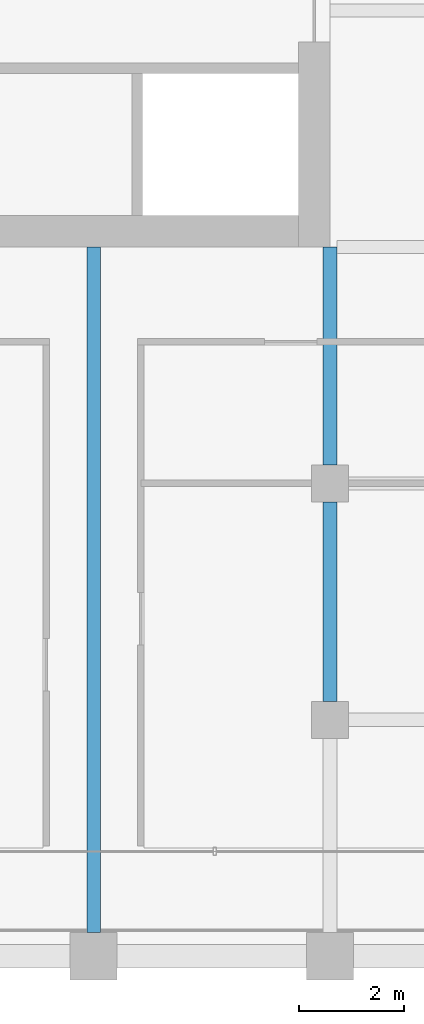
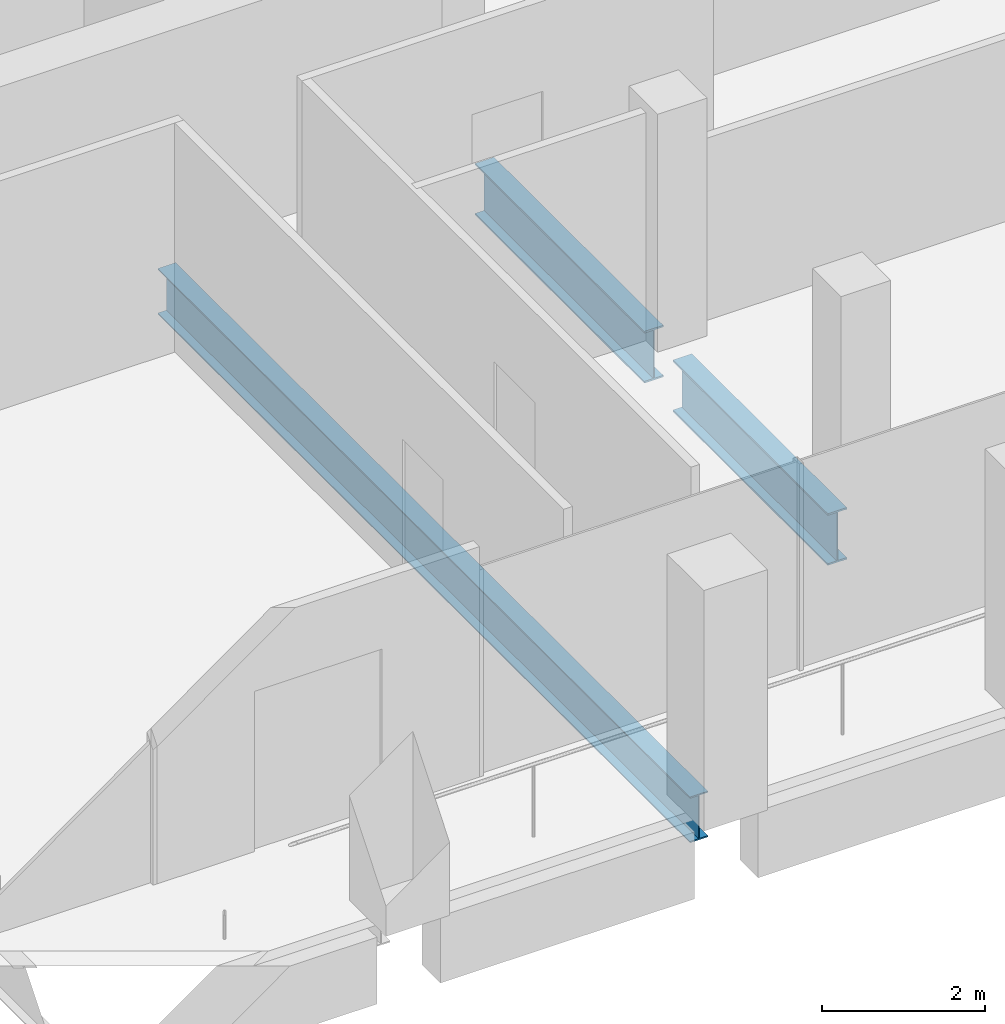
# One storey, part 10 of 40: 3 beams.
"""IFC4 building model written with IfcOpenShell, lengths in metres."""

from ifc_helpers import new_model, si_unit, direction, frame, origin, origin_2d, place, context, subcontext, project, spatial, i_section, extrude, material, material_profile, profile_set, type_object, element, save


model = new_model("IFC4")

# Units and contexts
model_context = context("Model", 3, precision=1e-05, world=origin(), true_north=direction((0.0, 1.0)))
body_context = subcontext(model_context, "Body", "Model", "MODEL_VIEW")
ifc_project = project(units=[si_unit("LENGTHUNIT", "METRE"), si_unit("AREAUNIT", "SQUARE_METRE"), si_unit("VOLUMEUNIT", "CUBIC_METRE"), si_unit("PLANEANGLEUNIT", "RADIAN"), si_unit("MASSUNIT", "GRAM", prefix="KILO")], contexts=[model_context])

# Site, building, storey
site_placement = place(None, origin())
site = spatial("IfcSite", under=ifc_project, at=site_placement, CompositionType="ELEMENT")
building_placement = place(site_placement, origin())
building = spatial("IfcBuilding", under=site, at=building_placement, Name="Altepetl Exchange Towers", CompositionType="ELEMENT")
storey_placement = place(building_placement, frame((0.0, 0.0, 147.39990234375)))
storey = spatial("IfcBuildingStorey", under=building, at=storey_placement, Name="L36", CompositionType="ELEMENT", Elevation=147.39990234375)

# Beams
ifc_material = material(Name="Steel S355", Category="steel")
ifc_material_profile_1 = material_profile(ifc_material, i_section(OverallWidth=0.25390625, OverallDepth=0.68408203125, WebThickness=0.012451171875, FlangeThickness=0.018798828125, at=origin_2d()), Name="W27X94")
ifc_profile_set_1 = profile_set([ifc_material_profile_1], Name="Steel S355")
beam_type_1 = type_object("IfcBeamType", Name="Floor beam W27X94", PredefinedType="BEAM", material=ifc_profile_set_1)
beam_1_placement = place(storey_placement, frame((54.0, 27.449951171875, -0.491943359375), z_axis=(0.0, 1.0, 0.0), x_axis=(-1.0, 0.0, 0.0)))
element("IfcBeam", 1, at=beam_1_placement, inside=storey, type_object=beam_type_1, Name="bm:A:L36:017", PredefinedType="BEAM", context=body_context, shape_type="SweptSolid", body=[
    extrude(i_section(OverallWidth=0.25390625, OverallDepth=0.68408203125, WebThickness=0.012451171875, FlangeThickness=0.018798828125, at=origin_2d()), origin(), (0.0, 0.0, 1.0), 13.050048828125),
])
ifc_material_profile_2 = material_profile(ifc_material, i_section(OverallWidth=0.26806640625, OverallDepth=0.77392578125, WebThickness=0.015380859375, FlangeThickness=0.025390625, at=origin_2d()), Name="W30X132")
ifc_profile_set_2 = profile_set([ifc_material_profile_2], Name="Steel S355")
beam_type_2 = type_object("IfcBeamType", Name="Girder W30X132", PredefinedType="BEAM", material=ifc_profile_set_2)
beam_2_placement = place(storey_placement, frame((58.5, 40.5, -0.536865234375), z_axis=(0.0, -1.0, 0.0), x_axis=(1.0, 0.0, 0.0)))
element("IfcBeam", 2, at=beam_2_placement, inside=storey, type_object=beam_type_2, Name="gd:A:L36:003", PredefinedType="BEAM", context=body_context, shape_type="SweptSolid", body=[
    extrude(i_section(OverallWidth=0.26806640625, OverallDepth=0.77392578125, WebThickness=0.015380859375, FlangeThickness=0.025390625, at=origin_2d()), origin(), (0.0, 0.0, 1.0), 4.14990234375),
])
beam_3_placement = place(storey_placement, frame((58.5, 35.64990234375, -0.536865234375), z_axis=(0.0, -1.0, 0.0), x_axis=(1.0, 0.0, 0.0)))
element("IfcBeam", 3, at=beam_3_placement, inside=storey, type_object=beam_type_2, Name="gd:A:L36:004", PredefinedType="BEAM", context=body_context, shape_type="SweptSolid", body=[
    extrude(i_section(OverallWidth=0.26806640625, OverallDepth=0.77392578125, WebThickness=0.015380859375, FlangeThickness=0.025390625, at=origin_2d()), origin(), (0.0, 0.0, 1.0), 3.7998046875),
])

save(model, "model.ifc")
